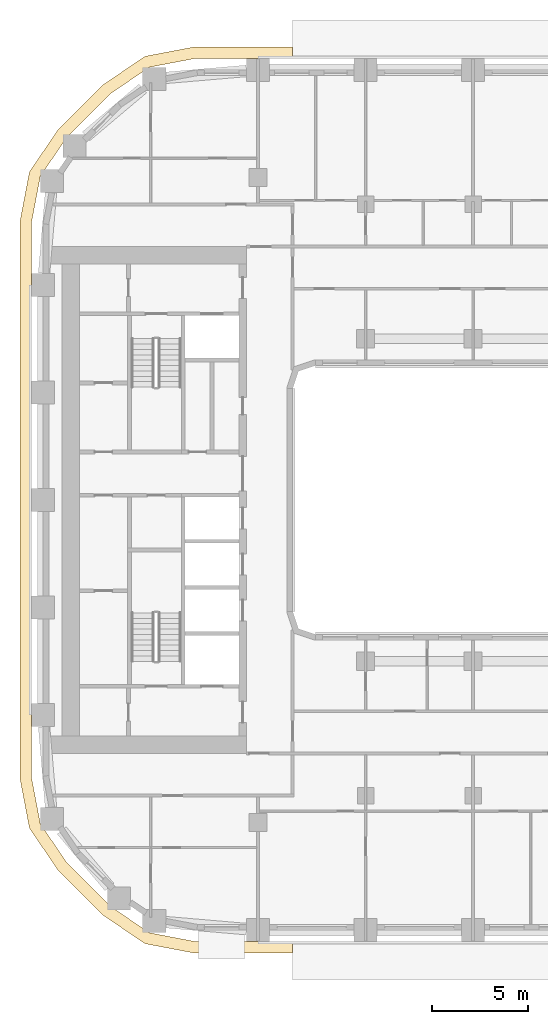
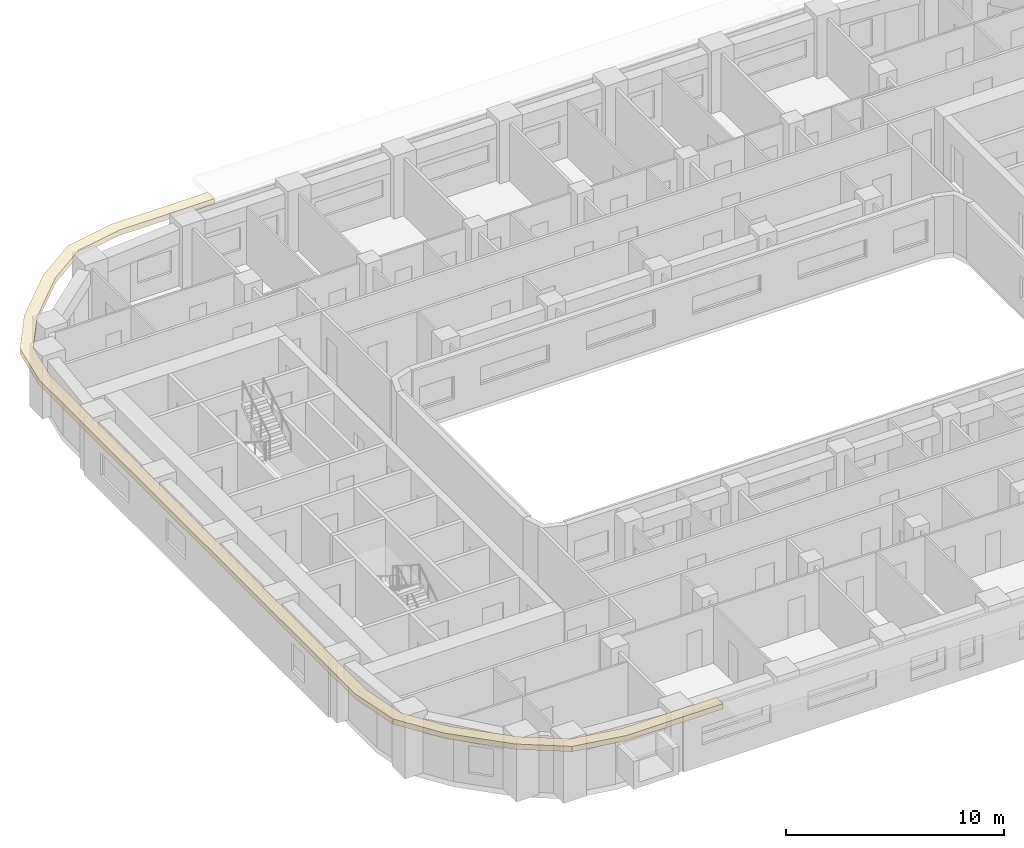
# One storey, part 16 of 23: 1 covering.
"""IFC4 building model written with IfcOpenShell, lengths in metres."""

from ifc_helpers import new_model, si_unit, direction, frame, origin, place, context, subcontext, project, spatial, polyline, outline, extrude, material, layer, layer_set, type_object, element, save


model = new_model("IFC4")

# Units and contexts
model_context = context("Model", 3, precision=1e-05, world=origin(), true_north=direction((0.0, 1.0)))
body_context = subcontext(model_context, "Body", "Model", "MODEL_VIEW")
ifc_project = project(units=[si_unit("LENGTHUNIT", "METRE"), si_unit("AREAUNIT", "SQUARE_METRE"), si_unit("VOLUMEUNIT", "CUBIC_METRE"), si_unit("PLANEANGLEUNIT", "RADIAN"), si_unit("MASSUNIT", "GRAM", prefix="KILO")], contexts=[model_context])

# Site, building, storey
site_placement = place(None, origin())
site = spatial("IfcSite", under=ifc_project, at=site_placement, CompositionType="ELEMENT")
building_placement = place(site_placement, origin())
building = spatial("IfcBuilding", under=site, at=building_placement, Name="Kiln Ring Residences", CompositionType="ELEMENT")
storey_placement = place(building_placement, frame((0.0, 0.0, 118.300048828125)))
storey = spatial("IfcBuildingStorey", under=building, at=storey_placement, Name="L30", CompositionType="ELEMENT", Elevation=118.300048828125)

# Covering
ifc_material = material(Name="Black powder-coated steel", Category="steel")
ifc_layer = layer(ifc_material, 0.300048828125)
ifc_layer_set = layer_set([ifc_layer], Name="SUNSHADE FIN 600")
covering_type = type_object("IfcCoveringType", Name="SUNSHADE FIN 600", PredefinedType="CLADDING", material=ifc_layer_set)
covering_placement = place(storey_placement, frame((0.0, 0.0, 3.199951171875)))
element("IfcCovering", 1, at=covering_placement, inside=storey, type_object=covering_type, Name="SUNSHADE FIN L30", PredefinedType="CLADDING", context=body_context, shape_type="SweptSolid", body=[
    extrude(outline(polyline([(-29.199951171875, -14.513427734375), (-28.7080078125, -17.09326171875), (-27.231689453125, -19.265380859375), (-24.865478515625, -21.631591796875), (-22.693115234375, -23.10791015625), (-20.11328125, -23.60009765625), (-15.0, -23.60009765625), (-15.0, -23.0), (-20.056640625, -23.0), (-22.458740234375, -22.541748046875), (-24.481201171875, -21.167236328125), (-26.767333984375, -18.881103515625), (-28.141845703125, -16.858642578125), (-28.60009765625, -14.456787109375), (-28.60009765625, 14.456787109375), (-28.141845703125, 16.858642578125), (-26.767333984375, 18.881103515625), (-24.481201171875, 21.167236328125), (-22.458740234375, 22.541748046875), (-20.056640625, 23.0), (-15.0, 23.0), (-15.0, 23.60009765625), (-20.11328125, 23.60009765625), (-22.693115234375, 23.10791015625), (-24.865478515625, 21.631591796875), (-27.231689453125, 19.265380859375), (-28.7080078125, 17.09326171875), (-29.199951171875, 14.513427734375), (-29.199951171875, -14.513427734375)])), origin(), (0.0, 0.0, 1.0), 0.300048828125),
])

save(model, "model.ifc")
